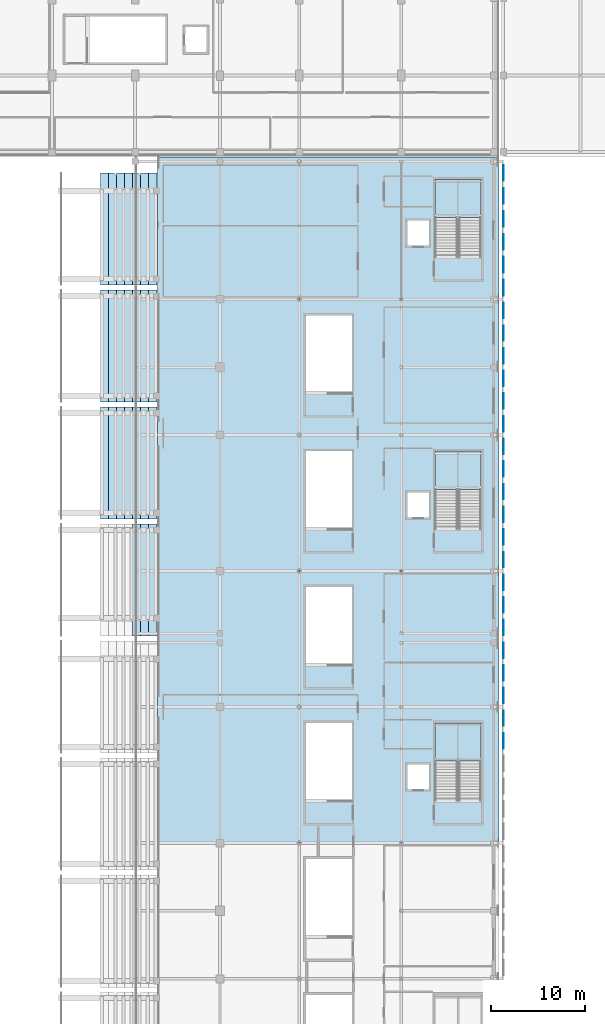
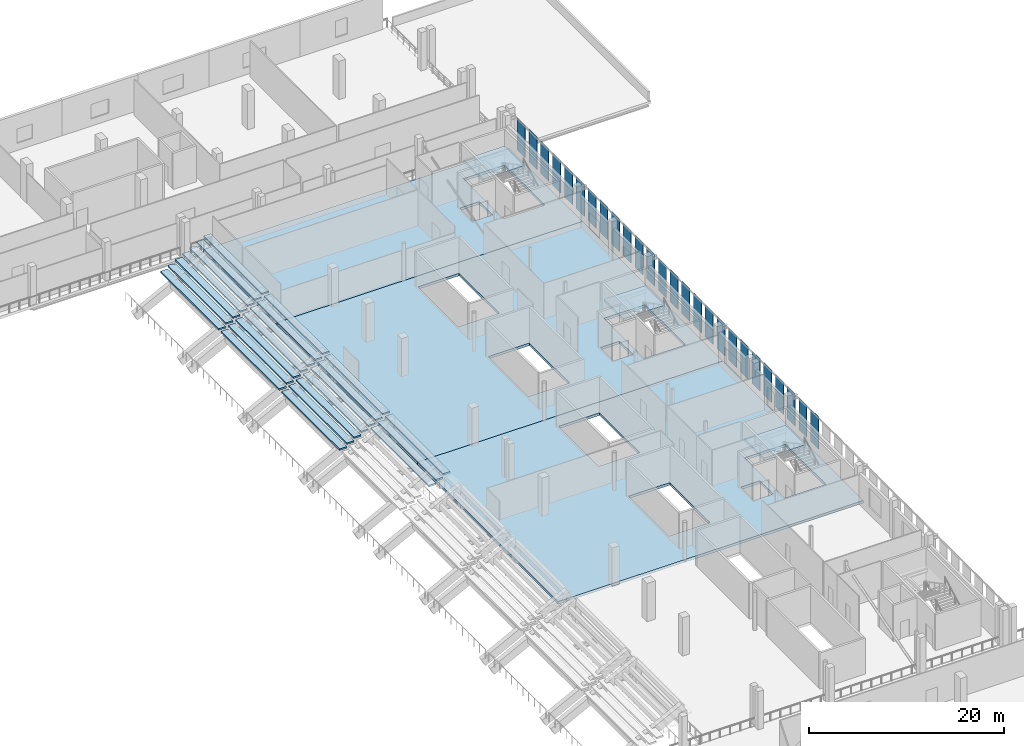
# One storey, part 25 of 74: 30 slabs, 26 plates, 3 elements without a shape of their own.
"""IFC4 building model written with IfcOpenShell, lengths in metres."""

from ifc_helpers import new_model, si_unit, direction, frame, origin, origin_2d, place, context, subcontext, project, spatial, polyline, rectangle, outline, extrude, material, layer, layer_set, type_object, element, aggregate, save


model = new_model("IFC4")

# Units and contexts
model_context = context("Model", 3, precision=1e-05, world=origin(), true_north=direction((0.0, 1.0)))
body_context = subcontext(model_context, "Body", "Model", "MODEL_VIEW")
ifc_project = project(units=[si_unit("LENGTHUNIT", "METRE"), si_unit("AREAUNIT", "SQUARE_METRE"), si_unit("VOLUMEUNIT", "CUBIC_METRE"), si_unit("PLANEANGLEUNIT", "RADIAN"), si_unit("MASSUNIT", "GRAM", prefix="KILO")], contexts=[model_context])

# Site, building, storey
site_placement = place(None, origin())
site = spatial("IfcSite", under=ifc_project, at=site_placement, CompositionType="ELEMENT")
building_placement = place(site_placement, origin())
building = spatial("IfcBuilding", under=site, at=building_placement, Name="Koshinbarg Plaza Stadium", CompositionType="ELEMENT")
storey_placement = place(building_placement, frame((0.0, 0.0, 15.0)))
storey = spatial("IfcBuildingStorey", under=building, at=storey_placement, Name="L03", CompositionType="ELEMENT", Elevation=15.0)

# Plates
ifc_material_1 = material(Name="Off-white mineral-coated perforated aluminium screen panel", Category="aluminium")
ifc_layer_1 = layer(ifc_material_1, 0.050048828125)
ifc_layer_set_1 = layer_set([ifc_layer_1], Name="Off-white mineral-coated perforated aluminium screen panel")
plate_type_1 = type_object("IfcPlateType", Name="PLT-SCR-50", PredefinedType="USERDEFINED", material=ifc_layer_set_1)
for number, where, z_axis, x_axis, name in (
    (1, (219.419921875, 67.5, 0.2001953125), (0.0, 0.0, 1.0), (1.0, 0.0, 0.0), "L03 off-white leaf-pierced outer screen panel 186"),
    (2, (219.419921875, 72.300048828125, 0.2001953125), (0.0, 0.0, 1.0), (1.0, 0.0, 0.0), "L03 off-white leaf-pierced outer screen panel 188"),
    (3, (219.419921875, 77.10009765625, 0.2001953125), (0.0, 0.0, 1.0), (1.0, 0.0, 0.0), "L03 off-white leaf-pierced outer screen panel 190"),
    (4, (219.419921875, 81.89990234375, 0.2001953125), (0.0, 0.0, 1.0), (1.0, 0.0, 0.0), "L03 off-white leaf-pierced outer screen panel 192"),
    (5, (219.419921875, 86.699951171875, 0.2001953125), (0.0, 0.0, 1.0), (1.0, 0.0, 0.0), "L03 off-white leaf-pierced outer screen panel 194"),
    (6, (219.419921875, 91.5, 0.2001953125), (0.0, 0.0, 1.0), (1.0, 0.0, 0.0), "L03 off-white leaf-pierced outer screen panel 196"),
    (7, (219.419921875, 96.300048828125, 0.2001953125), (0.0, 0.0, 1.0), (1.0, 0.0, 0.0), "L03 off-white leaf-pierced outer screen panel 198"),
    (8, (219.419921875, 101.10009765625, 0.2001953125), (0.0, 0.0, 1.0), (1.0, 0.0, 0.0), "L03 off-white leaf-pierced outer screen panel 200"),
    (9, (219.419921875, 105.89990234375, 0.2001953125), (0.0, 0.0, 1.0), (1.0, 0.0, 0.0), "L03 off-white leaf-pierced outer screen panel 202"),
    (10, (219.419921875, 110.699951171875, 0.2001953125), (0.0, 0.0, 1.0), (1.0, 0.0, 0.0), "L03 off-white leaf-pierced outer screen panel 204"),
):
    element("IfcPlate", number, at=place(storey_placement, frame(where, z_axis=z_axis, x_axis=x_axis)), inside=storey, type_object=plate_type_1, Name=name, ObjectType="SCREEN PANEL", PredefinedType="USERDEFINED", context=body_context, shape_type="SweptSolid", body=[
        extrude(rectangle(XDim=0.050048828125, YDim=1.632080078125, at=origin_2d()), origin(), (0.0, 0.0, 1.0), 4.030029296875),
    ])
for number, where, z_axis, x_axis, name in (
    (11, (219.419921875, 115.550048828125, 0.2001953125), (0.0, 0.0, 1.0), (1.0, 0.0, 0.0), "L03 off-white leaf-pierced outer screen panel 206"),
    (12, (219.419921875, 120.416748046875, 0.2001953125), (0.0, 0.0, 1.0), (1.0, 0.0, 0.0), "L03 off-white leaf-pierced outer screen panel 208"),
    (13, (219.419921875, 125.283203125, 0.2001953125), (0.0, 0.0, 1.0), (1.0, 0.0, 0.0), "L03 off-white leaf-pierced outer screen panel 210"),
):
    element("IfcPlate", number, at=place(storey_placement, frame(where, z_axis=z_axis, x_axis=x_axis)), inside=storey, type_object=plate_type_1, Name=name, ObjectType="SCREEN PANEL", PredefinedType="USERDEFINED", context=body_context, shape_type="SweptSolid", body=[
        extrude(rectangle(XDim=0.050048828125, YDim=1.65478515625, at=origin_2d()), origin(), (0.0, 0.0, 1.0), 4.030029296875),
    ])
ifc_material_2 = material(Name="Off-white mineral-coated leaf-aperture GRC screen panel")
ifc_layer_2 = layer(ifc_material_2, 0.06005859375)
ifc_layer_set_2 = layer_set([ifc_layer_2], Name="Off-white mineral-coated leaf-aperture GRC screen panel")
plate_type_2 = type_object("IfcPlateType", Name="PLT-SCR-60", PredefinedType="USERDEFINED", material=ifc_layer_set_2)
for number, where, z_axis, x_axis, name in (
    (14, (219.425048828125, 65.10009765625, 0.2001953125), (0.0, 0.0, 1.0), (1.0, 0.0, 0.0), "L03 off-white leaf-pierced outer screen panel 185"),
    (15, (219.425048828125, 69.89990234375, 0.2001953125), (0.0, 0.0, 1.0), (1.0, 0.0, 0.0), "L03 off-white leaf-pierced outer screen panel 187"),
    (16, (219.425048828125, 74.699951171875, 0.2001953125), (0.0, 0.0, 1.0), (1.0, 0.0, 0.0), "L03 off-white leaf-pierced outer screen panel 189"),
    (17, (219.425048828125, 79.5, 0.2001953125), (0.0, 0.0, 1.0), (1.0, 0.0, 0.0), "L03 off-white leaf-pierced outer screen panel 191"),
    (18, (219.425048828125, 84.300048828125, 0.2001953125), (0.0, 0.0, 1.0), (1.0, 0.0, 0.0), "L03 off-white leaf-pierced outer screen panel 193"),
    (19, (219.425048828125, 89.10009765625, 0.2001953125), (0.0, 0.0, 1.0), (1.0, 0.0, 0.0), "L03 off-white leaf-pierced outer screen panel 195"),
    (20, (219.425048828125, 93.89990234375, 0.2001953125), (0.0, 0.0, 1.0), (1.0, 0.0, 0.0), "L03 off-white leaf-pierced outer screen panel 197"),
    (21, (219.425048828125, 98.699951171875, 0.2001953125), (0.0, 0.0, 1.0), (1.0, 0.0, 0.0), "L03 off-white leaf-pierced outer screen panel 199"),
    (22, (219.425048828125, 103.5, 0.2001953125), (0.0, 0.0, 1.0), (1.0, 0.0, 0.0), "L03 off-white leaf-pierced outer screen panel 201"),
    (23, (219.425048828125, 108.300048828125, 0.2001953125), (0.0, 0.0, 1.0), (1.0, 0.0, 0.0), "L03 off-white leaf-pierced outer screen panel 203"),
):
    element("IfcPlate", number, at=place(storey_placement, frame(where, z_axis=z_axis, x_axis=x_axis)), inside=storey, type_object=plate_type_2, Name=name, ObjectType="SCREEN PANEL", PredefinedType="USERDEFINED", context=body_context, shape_type="SweptSolid", body=[
        extrude(rectangle(XDim=0.06005859375, YDim=1.632080078125, at=origin_2d()), origin(), (0.0, 0.0, 1.0), 4.030029296875),
    ])
for number, where, z_axis, x_axis, name in (
    (24, (219.425048828125, 113.11669921875, 0.2001953125), (0.0, 0.0, 1.0), (1.0, 0.0, 0.0), "L03 off-white leaf-pierced outer screen panel 205"),
    (25, (219.425048828125, 117.9833984375, 0.2001953125), (0.0, 0.0, 1.0), (1.0, 0.0, 0.0), "L03 off-white leaf-pierced outer screen panel 207"),
    (26, (219.425048828125, 122.85009765625, 0.2001953125), (0.0, 0.0, 1.0), (1.0, 0.0, 0.0), "L03 off-white leaf-pierced outer screen panel 209"),
):
    element("IfcPlate", number, at=place(storey_placement, frame(where, z_axis=z_axis, x_axis=x_axis)), inside=storey, type_object=plate_type_2, Name=name, ObjectType="SCREEN PANEL", PredefinedType="USERDEFINED", context=body_context, shape_type="SweptSolid", body=[
        extrude(rectangle(XDim=0.06005859375, YDim=1.65478515625, at=origin_2d()), origin(), (0.0, 0.0, 1.0), 4.030029296875),
    ])

# Slabs
ifc_material_3 = material(Name="Concrete C35/45", Category="concrete")
ifc_layer_3 = layer(ifc_material_3, 0.320068359375)
ifc_layer_set_3 = layer_set([ifc_layer_3], Name="Concrete C35/45")
slab_type_1 = type_object("IfcSlabType", Name="SL-FLR-320", PredefinedType="FLOOR", material=ifc_layer_set_3)
slab_1_placement = place(storey_placement, frame((0.0, 0.0, -0.320068359375)))
element("IfcSlab", 27, at=slab_1_placement, inside=storey, type_object=slab_type_1, Name="L03 V2 structural slab 6", PredefinedType="FLOOR", context=body_context, shape_type="SweptSolid", body=[
    extrude(outline(polyline([(182.800048828125, 54.300048828125), (218.955078125, 54.300048828125), (218.955078125, 83.10009765625), (182.800048828125, 83.10009765625), (182.800048828125, 54.300048828125)]), holes=[polyline([(217.070068359375, 58.760009765625), (217.070068359375, 67.0), (212.199951171875, 67.0), (212.199951171875, 58.760009765625), (217.070068359375, 58.760009765625)]), polyline([(209.25, 59.949951171875), (211.550048828125, 59.949951171875), (211.550048828125, 62.64990234375), (209.25, 62.64990234375), (209.25, 59.949951171875)]), polyline([(203.3701171875, 58.760009765625), (203.3701171875, 67.0), (198.5, 67.0), (198.5, 58.760009765625), (203.3701171875, 58.760009765625)]), polyline([(203.3701171875, 73.159912109375), (203.3701171875, 81.39990234375), (198.5, 81.39990234375), (198.5, 73.159912109375), (203.3701171875, 73.159912109375)])]), origin(), (0.0, 0.0, 1.0), 0.320068359375),
])
slab_2_placement = place(storey_placement, frame((0.0, 0.0, -0.320068359375)))
element("IfcSlab", 28, at=slab_2_placement, inside=storey, type_object=slab_type_1, Name="L03 V2 structural slab 7", PredefinedType="FLOOR", context=body_context, shape_type="SweptSolid", body=[
    extrude(outline(polyline([(182.800048828125, 83.10009765625), (218.955078125, 83.10009765625), (218.955078125, 111.89990234375), (182.800048828125, 111.89990234375), (182.800048828125, 83.10009765625)]), holes=[polyline([(217.070068359375, 87.56005859375), (217.070068359375, 95.800048828125), (212.199951171875, 95.800048828125), (212.199951171875, 87.56005859375), (217.070068359375, 87.56005859375)]), polyline([(209.25, 88.75), (211.550048828125, 88.75), (211.550048828125, 91.449951171875), (209.25, 91.449951171875), (209.25, 88.75)]), polyline([(203.3701171875, 87.56005859375), (203.3701171875, 95.800048828125), (198.5, 95.800048828125), (198.5, 87.56005859375), (203.3701171875, 87.56005859375)]), polyline([(203.3701171875, 101.9599609375), (203.3701171875, 110.199951171875), (198.5, 110.199951171875), (198.5, 101.9599609375), (203.3701171875, 101.9599609375)])]), origin(), (0.0, 0.0, 1.0), 0.320068359375),
])
slab_3_placement = place(storey_placement, frame((0.0, 0.0, -0.320068359375)))
element("IfcSlab", 29, at=slab_3_placement, inside=storey, type_object=slab_type_1, Name="L03 V2 structural slab 8", PredefinedType="FLOOR", context=body_context, shape_type="SweptSolid", body=[
    extrude(outline(polyline([(182.800048828125, 111.89990234375), (218.955078125, 111.89990234375), (218.955078125, 126.955078125), (182.800048828125, 126.955078125), (182.800048828125, 111.89990234375)]), holes=[polyline([(217.070068359375, 116.360107421875), (217.070068359375, 124.60009765625), (212.199951171875, 124.60009765625), (212.199951171875, 116.360107421875), (217.070068359375, 116.360107421875)]), polyline([(209.25, 117.550048828125), (211.550048828125, 117.550048828125), (211.550048828125, 120.25), (209.25, 120.25), (209.25, 117.550048828125)])]), origin(), (0.0, 0.0, 1.0), 0.320068359375),
])

# Stair, slab
stair_type = type_object("IfcStairType", Name="ST-CORE-48", PredefinedType="HALF_TURN_STAIR", material=ifc_material_3)
stair_1_placement = place(storey_placement, origin())
stair_1 = element("IfcStair", 30, at=stair_1_placement, inside=storey, type_object=stair_type, Name="L03 Protected Exit Stair C08", PredefinedType="HALF_TURN_STAIR")
ifc_layer_4 = layer(ifc_material_3, 0.320068359375)
ifc_layer_set_4 = layer_set([ifc_layer_4], Name="Concrete C35/45")
slab_type_2 = type_object("IfcSlabType", Name="SL-STLAND-280", PredefinedType="LANDING", material=ifc_layer_set_4)
slab_4_placement = place(storey_placement, frame((0.0, 0.0, 2.080078125)))
slab_4 = element("IfcSlab", 31, at=slab_4_placement, type_object=slab_type_2, Name="L03 Protected Exit Stair C08 landing 045", PredefinedType="LANDING", context=body_context, shape_type="SweptSolid", body=[
    extrude(outline(polyline([(217.070068359375, 62.9599609375), (217.070068359375, 67.0), (212.199951171875, 67.0), (212.199951171875, 62.9599609375), (217.070068359375, 62.9599609375)])), origin(), (0.0, 0.0, 1.0), 0.31982421875),
])
aggregate(stair_1, [slab_4])

stair_2_placement = place(storey_placement, origin())
stair_2 = element("IfcStair", 32, at=stair_2_placement, inside=storey, type_object=stair_type, Name="L03 Protected Exit Stair C09", PredefinedType="HALF_TURN_STAIR")
slab_5_placement = place(storey_placement, frame((0.0, 0.0, 2.080078125)))
slab_5 = element("IfcSlab", 33, at=slab_5_placement, type_object=slab_type_2, Name="L03 Protected Exit Stair C09 landing 050", PredefinedType="LANDING", context=body_context, shape_type="SweptSolid", body=[
    extrude(outline(polyline([(217.070068359375, 91.760009765625), (217.070068359375, 95.800048828125), (212.199951171875, 95.800048828125), (212.199951171875, 91.760009765625), (217.070068359375, 91.760009765625)])), origin(), (0.0, 0.0, 1.0), 0.31982421875),
])
aggregate(stair_2, [slab_5])

stair_3_placement = place(storey_placement, origin())
stair_3 = element("IfcStair", 34, at=stair_3_placement, inside=storey, type_object=stair_type, Name="L03 Protected Exit Stair C10", PredefinedType="HALF_TURN_STAIR")
slab_6_placement = place(storey_placement, frame((0.0, 0.0, 2.080078125)))
slab_6 = element("IfcSlab", 35, at=slab_6_placement, type_object=slab_type_2, Name="L03 Protected Exit Stair C10 landing 055", PredefinedType="LANDING", context=body_context, shape_type="SweptSolid", body=[
    extrude(outline(polyline([(217.070068359375, 120.56005859375), (217.070068359375, 124.60009765625), (212.199951171875, 124.60009765625), (212.199951171875, 120.56005859375), (217.070068359375, 120.56005859375)])), origin(), (0.0, 0.0, 1.0), 0.31982421875),
])
aggregate(stair_3, [slab_6])

# Slabs
ifc_material_4 = material(Name="Precast concrete C40/50", Category="concrete")
ifc_layer_5 = layer(ifc_material_4, 0.199951171875)
ifc_layer_set_5 = layer_set([ifc_layer_5], Name="Precast concrete C40/50")
slab_type_3 = type_object("IfcSlabType", Name="SL-TIER-UT", PredefinedType="USERDEFINED", material=ifc_layer_set_5)
slab_7_placement = place(storey_placement, frame((0.0, 0.0, 1.97998046875)))
element("IfcSlab", 36, at=slab_7_placement, inside=storey, type_object=slab_type_3, Name="Stand upper seating tier UT-E05 row 10", ObjectType="SEATING TIER", PredefinedType="USERDEFINED", context=body_context, shape_type="SweptSolid", body=[
    extrude(outline(polyline([(180.14990234375, 76.199951171875), (181.0, 76.199951171875), (181.0, 88.10009765625), (180.14990234375, 88.10009765625), (180.14990234375, 76.199951171875)])), origin(), (0.0, 0.0, 1.0), 0.199951171875),
])
slab_8_placement = place(storey_placement, frame((0.0, 0.0, 2.419921875)))
element("IfcSlab", 37, at=slab_8_placement, inside=storey, type_object=slab_type_3, Name="Stand upper seating tier UT-E05 row 11", ObjectType="SEATING TIER", PredefinedType="USERDEFINED", context=body_context, shape_type="SweptSolid", body=[
    extrude(outline(polyline([(181.0, 76.199951171875), (181.85009765625, 76.199951171875), (181.85009765625, 88.10009765625), (181.0, 88.10009765625), (181.0, 76.199951171875)])), origin(), (0.0, 0.0, 1.0), 0.2001953125),
])
slab_9_placement = place(storey_placement, frame((0.0, 0.0, 2.860107421875)))
element("IfcSlab", 38, at=slab_9_placement, inside=storey, type_object=slab_type_3, Name="Stand upper seating tier UT-E05 row 12", ObjectType="SEATING TIER", PredefinedType="USERDEFINED", context=body_context, shape_type="SweptSolid", body=[
    extrude(outline(polyline([(181.85009765625, 76.199951171875), (182.699951171875, 76.199951171875), (182.699951171875, 88.10009765625), (181.85009765625, 88.10009765625), (181.85009765625, 76.199951171875)])), origin(), (0.0, 0.0, 1.0), 0.199951171875),
])
slab_10_placement = place(storey_placement, frame((0.0, 0.0, 0.219970703125)))
element("IfcSlab", 39, at=slab_10_placement, inside=storey, type_object=slab_type_3, Name="Stand upper seating tier UT-E06 row 6", ObjectType="SEATING TIER", PredefinedType="USERDEFINED", context=body_context, shape_type="SweptSolid", body=[
    extrude(outline(polyline([(176.75, 88.60009765625), (177.60009765625, 88.60009765625), (177.60009765625, 100.5), (176.75, 100.5), (176.75, 88.60009765625)])), origin(), (0.0, 0.0, 1.0), 0.199951171875),
])
slab_11_placement = place(storey_placement, frame((0.0, 0.0, 0.659912109375)))
element("IfcSlab", 40, at=slab_11_placement, inside=storey, type_object=slab_type_3, Name="Stand upper seating tier UT-E06 row 7", ObjectType="SEATING TIER", PredefinedType="USERDEFINED", context=body_context, shape_type="SweptSolid", body=[
    extrude(outline(polyline([(177.60009765625, 88.60009765625), (178.449951171875, 88.60009765625), (178.449951171875, 100.5), (177.60009765625, 100.5), (177.60009765625, 88.60009765625)])), origin(), (0.0, 0.0, 1.0), 0.2001953125),
])
slab_12_placement = place(storey_placement, frame((0.0, 0.0, 1.10009765625)))
element("IfcSlab", 41, at=slab_12_placement, inside=storey, type_object=slab_type_3, Name="Stand upper seating tier UT-E06 row 8", ObjectType="SEATING TIER", PredefinedType="USERDEFINED", context=body_context, shape_type="SweptSolid", body=[
    extrude(outline(polyline([(178.449951171875, 88.60009765625), (179.300048828125, 88.60009765625), (179.300048828125, 100.5), (178.449951171875, 100.5), (178.449951171875, 88.60009765625)])), origin(), (0.0, 0.0, 1.0), 0.199951171875),
])
slab_13_placement = place(storey_placement, frame((0.0, 0.0, 1.5400390625)))
element("IfcSlab", 42, at=slab_13_placement, inside=storey, type_object=slab_type_3, Name="Stand upper seating tier UT-E06 row 9", ObjectType="SEATING TIER", PredefinedType="USERDEFINED", context=body_context, shape_type="SweptSolid", body=[
    extrude(outline(polyline([(179.300048828125, 88.60009765625), (180.14990234375, 88.60009765625), (180.14990234375, 100.5), (179.300048828125, 100.5), (179.300048828125, 88.60009765625)])), origin(), (0.0, 0.0, 1.0), 0.199951171875),
])
slab_14_placement = place(storey_placement, frame((0.0, 0.0, 1.97998046875)))
element("IfcSlab", 43, at=slab_14_placement, inside=storey, type_object=slab_type_3, Name="Stand upper seating tier UT-E06 row 10", ObjectType="SEATING TIER", PredefinedType="USERDEFINED", context=body_context, shape_type="SweptSolid", body=[
    extrude(outline(polyline([(180.14990234375, 88.60009765625), (181.0, 88.60009765625), (181.0, 100.5), (180.14990234375, 100.5), (180.14990234375, 88.60009765625)])), origin(), (0.0, 0.0, 1.0), 0.199951171875),
])
slab_15_placement = place(storey_placement, frame((0.0, 0.0, 2.419921875)))
element("IfcSlab", 44, at=slab_15_placement, inside=storey, type_object=slab_type_3, Name="Stand upper seating tier UT-E06 row 11", ObjectType="SEATING TIER", PredefinedType="USERDEFINED", context=body_context, shape_type="SweptSolid", body=[
    extrude(outline(polyline([(181.0, 88.60009765625), (181.85009765625, 88.60009765625), (181.85009765625, 100.5), (181.0, 100.5), (181.0, 88.60009765625)])), origin(), (0.0, 0.0, 1.0), 0.2001953125),
])
slab_16_placement = place(storey_placement, frame((0.0, 0.0, 2.860107421875)))
element("IfcSlab", 45, at=slab_16_placement, inside=storey, type_object=slab_type_3, Name="Stand upper seating tier UT-E06 row 12", ObjectType="SEATING TIER", PredefinedType="USERDEFINED", context=body_context, shape_type="SweptSolid", body=[
    extrude(outline(polyline([(181.85009765625, 88.60009765625), (182.699951171875, 88.60009765625), (182.699951171875, 100.5), (181.85009765625, 100.5), (181.85009765625, 88.60009765625)])), origin(), (0.0, 0.0, 1.0), 0.199951171875),
])
slab_17_placement = place(storey_placement, frame((0.0, 0.0, 0.219970703125)))
element("IfcSlab", 46, at=slab_17_placement, inside=storey, type_object=slab_type_3, Name="Stand upper seating tier UT-E07 row 6", ObjectType="SEATING TIER", PredefinedType="USERDEFINED", context=body_context, shape_type="SweptSolid", body=[
    extrude(outline(polyline([(176.75, 101.0), (177.60009765625, 101.0), (177.60009765625, 112.89990234375), (176.75, 112.89990234375), (176.75, 101.0)])), origin(), (0.0, 0.0, 1.0), 0.199951171875),
])
slab_18_placement = place(storey_placement, frame((0.0, 0.0, 0.659912109375)))
element("IfcSlab", 47, at=slab_18_placement, inside=storey, type_object=slab_type_3, Name="Stand upper seating tier UT-E07 row 7", ObjectType="SEATING TIER", PredefinedType="USERDEFINED", context=body_context, shape_type="SweptSolid", body=[
    extrude(outline(polyline([(177.60009765625, 101.0), (178.449951171875, 101.0), (178.449951171875, 112.89990234375), (177.60009765625, 112.89990234375), (177.60009765625, 101.0)])), origin(), (0.0, 0.0, 1.0), 0.2001953125),
])
slab_19_placement = place(storey_placement, frame((0.0, 0.0, 1.10009765625)))
element("IfcSlab", 48, at=slab_19_placement, inside=storey, type_object=slab_type_3, Name="Stand upper seating tier UT-E07 row 8", ObjectType="SEATING TIER", PredefinedType="USERDEFINED", context=body_context, shape_type="SweptSolid", body=[
    extrude(outline(polyline([(178.449951171875, 101.0), (179.300048828125, 101.0), (179.300048828125, 112.89990234375), (178.449951171875, 112.89990234375), (178.449951171875, 101.0)])), origin(), (0.0, 0.0, 1.0), 0.199951171875),
])
slab_20_placement = place(storey_placement, frame((0.0, 0.0, 1.5400390625)))
element("IfcSlab", 49, at=slab_20_placement, inside=storey, type_object=slab_type_3, Name="Stand upper seating tier UT-E07 row 9", ObjectType="SEATING TIER", PredefinedType="USERDEFINED", context=body_context, shape_type="SweptSolid", body=[
    extrude(outline(polyline([(179.300048828125, 101.0), (180.14990234375, 101.0), (180.14990234375, 112.89990234375), (179.300048828125, 112.89990234375), (179.300048828125, 101.0)])), origin(), (0.0, 0.0, 1.0), 0.199951171875),
])
slab_21_placement = place(storey_placement, frame((0.0, 0.0, 1.97998046875)))
element("IfcSlab", 50, at=slab_21_placement, inside=storey, type_object=slab_type_3, Name="Stand upper seating tier UT-E07 row 10", ObjectType="SEATING TIER", PredefinedType="USERDEFINED", context=body_context, shape_type="SweptSolid", body=[
    extrude(outline(polyline([(180.14990234375, 101.0), (181.0, 101.0), (181.0, 112.89990234375), (180.14990234375, 112.89990234375), (180.14990234375, 101.0)])), origin(), (0.0, 0.0, 1.0), 0.199951171875),
])
slab_22_placement = place(storey_placement, frame((0.0, 0.0, 2.419921875)))
element("IfcSlab", 51, at=slab_22_placement, inside=storey, type_object=slab_type_3, Name="Stand upper seating tier UT-E07 row 11", ObjectType="SEATING TIER", PredefinedType="USERDEFINED", context=body_context, shape_type="SweptSolid", body=[
    extrude(outline(polyline([(181.0, 101.0), (181.85009765625, 101.0), (181.85009765625, 112.89990234375), (181.0, 112.89990234375), (181.0, 101.0)])), origin(), (0.0, 0.0, 1.0), 0.2001953125),
])
slab_23_placement = place(storey_placement, frame((0.0, 0.0, 2.860107421875)))
element("IfcSlab", 52, at=slab_23_placement, inside=storey, type_object=slab_type_3, Name="Stand upper seating tier UT-E07 row 12", ObjectType="SEATING TIER", PredefinedType="USERDEFINED", context=body_context, shape_type="SweptSolid", body=[
    extrude(outline(polyline([(181.85009765625, 101.0), (182.699951171875, 101.0), (182.699951171875, 112.89990234375), (181.85009765625, 112.89990234375), (181.85009765625, 101.0)])), origin(), (0.0, 0.0, 1.0), 0.199951171875),
])
slab_24_placement = place(storey_placement, frame((0.0, 0.0, 0.219970703125)))
element("IfcSlab", 53, at=slab_24_placement, inside=storey, type_object=slab_type_3, Name="Stand upper seating tier UT-E08 row 6", ObjectType="SEATING TIER", PredefinedType="USERDEFINED", context=body_context, shape_type="SweptSolid", body=[
    extrude(outline(polyline([(176.75, 113.39990234375), (177.60009765625, 113.39990234375), (177.60009765625, 125.300048828125), (176.75, 125.300048828125), (176.75, 113.39990234375)])), origin(), (0.0, 0.0, 1.0), 0.199951171875),
])
slab_25_placement = place(storey_placement, frame((0.0, 0.0, 0.659912109375)))
element("IfcSlab", 54, at=slab_25_placement, inside=storey, type_object=slab_type_3, Name="Stand upper seating tier UT-E08 row 7", ObjectType="SEATING TIER", PredefinedType="USERDEFINED", context=body_context, shape_type="SweptSolid", body=[
    extrude(outline(polyline([(177.60009765625, 113.39990234375), (178.449951171875, 113.39990234375), (178.449951171875, 124.949951171875), (178.10009765625, 125.300048828125), (177.60009765625, 125.300048828125), (177.60009765625, 113.39990234375)])), origin(), (0.0, 0.0, 1.0), 0.2001953125),
])
slab_26_placement = place(storey_placement, frame((0.0, 0.0, 1.10009765625)))
element("IfcSlab", 55, at=slab_26_placement, inside=storey, type_object=slab_type_3, Name="Stand upper seating tier UT-E08 row 8", ObjectType="SEATING TIER", PredefinedType="USERDEFINED", context=body_context, shape_type="SweptSolid", body=[
    extrude(outline(polyline([(178.449951171875, 113.39990234375), (179.300048828125, 113.39990234375), (179.300048828125, 125.300048828125), (178.449951171875, 125.300048828125), (178.449951171875, 113.39990234375)])), origin(), (0.0, 0.0, 1.0), 0.199951171875),
])
slab_27_placement = place(storey_placement, frame((0.0, 0.0, 1.5400390625)))
element("IfcSlab", 56, at=slab_27_placement, inside=storey, type_object=slab_type_3, Name="Stand upper seating tier UT-E08 row 9", ObjectType="SEATING TIER", PredefinedType="USERDEFINED", context=body_context, shape_type="SweptSolid", body=[
    extrude(outline(polyline([(179.300048828125, 113.39990234375), (180.14990234375, 113.39990234375), (180.14990234375, 125.300048828125), (179.300048828125, 125.300048828125), (179.300048828125, 113.39990234375)])), origin(), (0.0, 0.0, 1.0), 0.199951171875),
])
slab_28_placement = place(storey_placement, frame((0.0, 0.0, 1.97998046875)))
element("IfcSlab", 57, at=slab_28_placement, inside=storey, type_object=slab_type_3, Name="Stand upper seating tier UT-E08 row 10", ObjectType="SEATING TIER", PredefinedType="USERDEFINED", context=body_context, shape_type="SweptSolid", body=[
    extrude(outline(polyline([(180.14990234375, 113.39990234375), (181.0, 113.39990234375), (181.0, 124.949951171875), (180.64990234375, 125.300048828125), (180.14990234375, 125.300048828125), (180.14990234375, 113.39990234375)])), origin(), (0.0, 0.0, 1.0), 0.199951171875),
])
slab_29_placement = place(storey_placement, frame((0.0, 0.0, 2.419921875)))
element("IfcSlab", 58, at=slab_29_placement, inside=storey, type_object=slab_type_3, Name="Stand upper seating tier UT-E08 row 11", ObjectType="SEATING TIER", PredefinedType="USERDEFINED", context=body_context, shape_type="SweptSolid", body=[
    extrude(outline(polyline([(181.0, 113.39990234375), (181.85009765625, 113.39990234375), (181.85009765625, 125.300048828125), (181.0, 125.300048828125), (181.0, 113.39990234375)])), origin(), (0.0, 0.0, 1.0), 0.2001953125),
])
slab_30_placement = place(storey_placement, frame((0.0, 0.0, 2.860107421875)))
element("IfcSlab", 59, at=slab_30_placement, inside=storey, type_object=slab_type_3, Name="Stand upper seating tier UT-E08 row 12", ObjectType="SEATING TIER", PredefinedType="USERDEFINED", context=body_context, shape_type="SweptSolid", body=[
    extrude(outline(polyline([(181.85009765625, 113.39990234375), (182.699951171875, 113.39990234375), (182.699951171875, 125.300048828125), (181.85009765625, 125.300048828125), (181.85009765625, 113.39990234375)])), origin(), (0.0, 0.0, 1.0), 0.199951171875),
])

save(model, "model.ifc")
